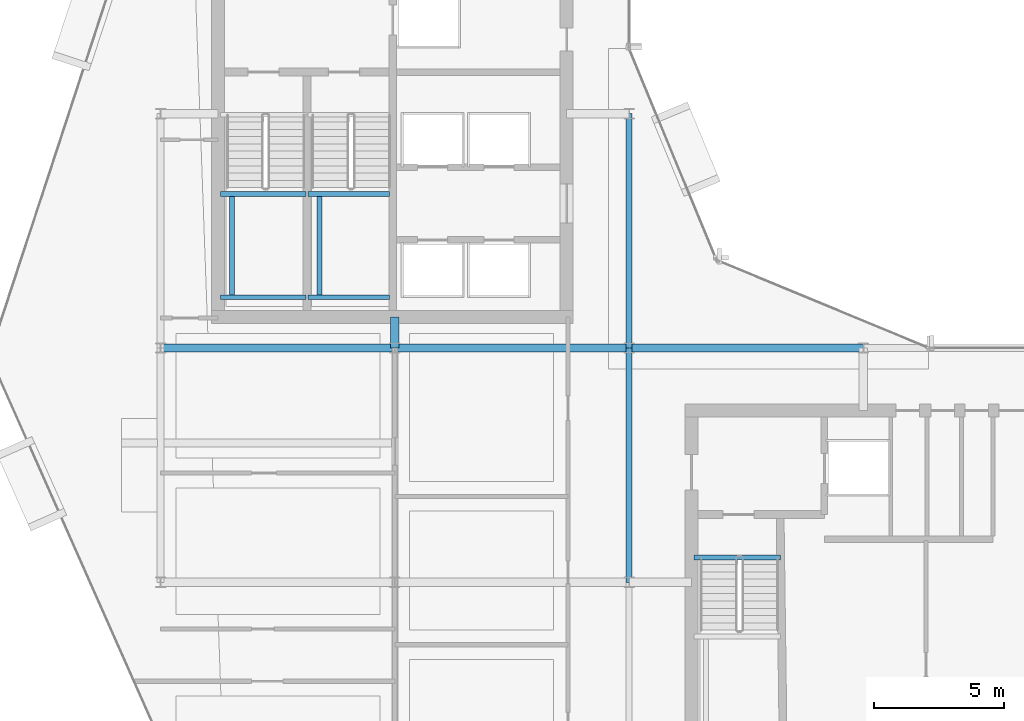
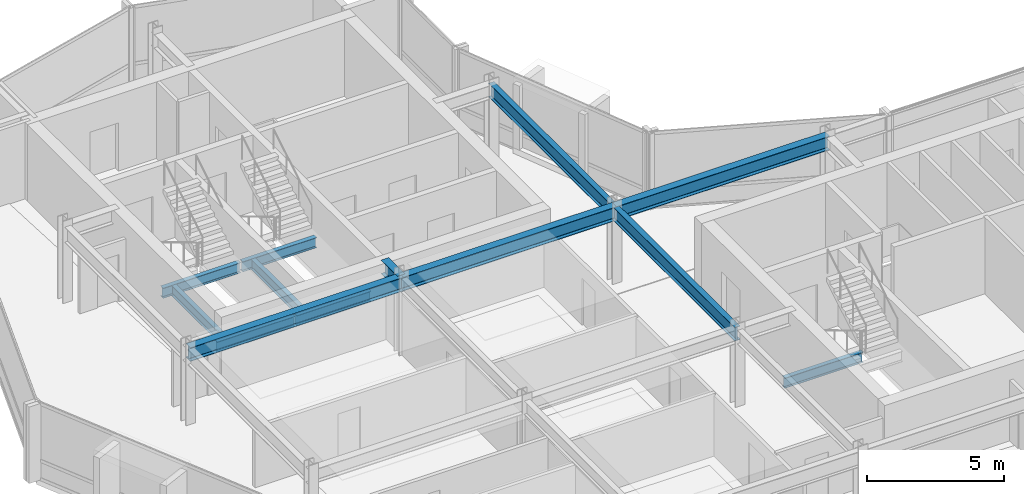
# One storey, part 7 of 28: 13 beams.
"""IFC4 building model written with IfcOpenShell, lengths in metres."""

import ifcopenshell
import ifcopenshell.guid

model = None  # the IFC model being written
_history = None  # IfcOwnerHistory: only IFC2X3 demands one
_inside = {}  # id of a spatial element -> (the spatial element, [elements in it])
_under = {}  # id of a project, library or spatial element -> (it, [spatial elements below it])
_declared = {}  # id of a project -> (the project, [libraries it declares])
_typed = {}  # id of a type object -> (the type object, [elements of that type])
_made_of = {}  # id of a material, layer set ... -> (it, [elements and type objects made of it])


def new_model(schema):
    """Start an empty IFC model of exactly this schema.

    Asked for "IFC4X3", IfcOpenShell would pick the latest addendum, in which some entities
    have other attributes; the version numbers below select the first issue.
    IFC2X3 requires an IfcOwnerHistory on every rooted entity: one is made here for all.
    """
    global model, _history
    if schema == "IFC4X3":
        model = ifcopenshell.file(schema_version=(4, 3, 0, 0))
    else:
        model = ifcopenshell.file(schema=schema)
    _inside.clear()
    _under.clear()
    _declared.clear()
    _typed.clear()
    _made_of.clear()
    _history = None
    if model.schema == "IFC2X3":
        org = make("IfcOrganization", Name="unknown")
        user = make(
            "IfcPersonAndOrganization",
            ThePerson=make("IfcPerson", FamilyName="unknown"),
            TheOrganization=org,
        )
        app = make(
            "IfcApplication",
            ApplicationDeveloper=org,
            Version="unknown",
            ApplicationFullName="unknown",
            ApplicationIdentifier="unknown",
        )
        _history = make(
            "IfcOwnerHistory",
            OwningUser=user,
            OwningApplication=app,
            ChangeAction="ADDED",
            CreationDate=0,
        )
    return model


def make(cls, **values):
    """One entity of the class cls with the attributes given. An attribute that is None is left unset."""
    return model.create_entity(
        cls, **{name: value for name, value in values.items() if value is not None}
    )


def rooted(cls, **values):
    """An entity with a GlobalId (a new one), such as an element, a storey or a relation."""
    return make(cls, GlobalId=ifcopenshell.guid.new(), OwnerHistory=_history, **values)


def si_unit(unit_type, name, prefix=None):
    """IfcSIUnit, for example si_unit("LENGTHUNIT", "METRE", prefix="MILLI")."""
    return make("IfcSIUnit", UnitType=unit_type, Prefix=prefix, Name=name)


def assignment(units):
    """IfcUnitAssignment: the units of a project."""
    return None if units is None else make("IfcUnitAssignment", Units=units)


def point(xyz):
    """IfcCartesianPoint."""
    return None if xyz is None else make("IfcCartesianPoint", Coordinates=xyz)


def direction(xyz):
    """IfcDirection."""
    return None if xyz is None else make("IfcDirection", DirectionRatios=xyz)


def frame(location, z_axis=None, x_axis=None):
    """IfcAxis2Placement3D, a coordinate frame: its origin and axes. An axis left out is left unset."""
    return make(
        "IfcAxis2Placement3D",
        Location=point(location),
        Axis=direction(z_axis),
        RefDirection=direction(x_axis),
    )


def frame_2d(location, x_axis=None):
    """IfcAxis2Placement2D, a coordinate frame in the plane: its origin and x axis."""
    return make(
        "IfcAxis2Placement2D", Location=point(location), RefDirection=direction(x_axis)
    )


def origin():
    """The frame at (0, 0, 0) with its axes left unset."""
    return frame((0.0, 0.0, 0.0))


def origin_2d():
    """The frame at (0, 0) in the plane with its x axis left unset."""
    return frame_2d((0.0, 0.0))


def place(relative_to, where):
    """IfcLocalPlacement: puts the frame where relative to a parent placement (None: the world)."""
    return make(
        "IfcLocalPlacement", PlacementRelTo=relative_to, RelativePlacement=where
    )


def context(
    kind, dimensions, precision=None, world=None, true_north=None, identifier=None
):
    """IfcGeometricRepresentationContext, for example the 3D "Model" context."""
    return make(
        "IfcGeometricRepresentationContext",
        ContextIdentifier=identifier,
        ContextType=kind,
        CoordinateSpaceDimension=dimensions,
        Precision=precision,
        WorldCoordinateSystem=world,
        TrueNorth=true_north,
    )


def subcontext(parent, identifier, kind, view, scale=None):
    """IfcGeometricRepresentationSubContext, for example "Body" below "Model"."""
    return make(
        "IfcGeometricRepresentationSubContext",
        ContextIdentifier=identifier,
        ContextType=kind,
        ParentContext=parent,
        TargetScale=scale,
        TargetView=view,
    )


def project(units=None, contexts=None):
    """IfcProject with its units and contexts."""
    return rooted(
        "IfcProject",
        Name="project",
        RepresentationContexts=contexts,
        UnitsInContext=assignment(units),
    )


def spatial(cls, under=None, at=None, **own):
    """A site, building, storey or space (cls), placed at a placement, below another one or the project."""
    s = rooted(cls, ObjectPlacement=at, **own)
    if under is not None:
        _under.setdefault(under.id(), (under, []))[1].append(s)
    return s


def profile(cls, at=None, kind="AREA", **sizes):
    """A parametric profile (cls). Its sizes go by their IFC names, for example OverallWidth=200.0."""
    return make(cls, ProfileType=kind, Position=at, **sizes)


def i_section(**sizes):
    """IfcIShapeProfileDef."""
    return profile("IfcIShapeProfileDef", **sizes)


def extrude(swept, where, along, depth):
    """IfcExtrudedAreaSolid: the profile swept, set in the frame where, extruded along a direction by depth."""
    return make(
        "IfcExtrudedAreaSolid",
        SweptArea=swept,
        Position=where,
        ExtrudedDirection=direction(along),
        Depth=depth,
    )


def shape(context_of_items, identifier, shape_type, items):
    """IfcShapeRepresentation: the items that make up one representation, for example the "Body"."""
    return make(
        "IfcShapeRepresentation",
        ContextOfItems=context_of_items,
        RepresentationIdentifier=identifier,
        RepresentationType=shape_type,
        Items=items,
    )


def material(Name=None, Category=None):
    """IfcMaterial."""
    return make("IfcMaterial", Name=Name, Category=Category)


def material_profile(
    of_material, cross_section, Name=None, Category=None, Priority=None
):
    """IfcMaterialProfile: a cross section and its material."""
    return make(
        "IfcMaterialProfile",
        Name=Name,
        Material=of_material,
        Profile=cross_section,
        Priority=Priority,
        Category=Category,
    )


def profile_set(profiles, Name=None, composite=None):
    """IfcMaterialProfileSet."""
    return make(
        "IfcMaterialProfileSet",
        Name=Name,
        MaterialProfiles=profiles,
        CompositeProfile=composite,
    )


def made_of(thing, what):
    """Note that an element or type object is made of a material, layer set ...; save() writes the relation."""
    if what is not None:
        _made_of.setdefault(what.id(), (what, []))[1].append(thing)
    return thing


def type_object(cls, material=None, **own):
    """A type object (cls), such as IfcWallType, which elements share."""
    return made_of(rooted(cls, **own), material)


def element(
    cls,
    number,
    at=None,
    inside=None,
    cuts=None,
    type_object=None,
    material=None,
    context=None,
    identifier="Body",
    shape_type=None,
    held_by="IfcProductDefinitionShape",
    body=None,
    shapes=None,
    **own,
):
    """One element of the class cls, such as IfcWall. Its Tag is "e" and its number.

    at: its placement. inside: the storey or other place that contains it. cuts: it is an
    opening in that element (IfcRelVoidsElement). A single representation is given by context,
    identifier, shape_type and body (its items); several are given by shapes. held_by: the class
    of the entity that holds the representations. save() writes the other relations.
    """
    e = rooted(cls, Tag="e%d" % number, ObjectPlacement=at, **own)
    if body is not None:
        shapes = [shape(context, identifier, shape_type, body)]
    if shapes is not None:
        e.Representation = make(held_by, Representations=shapes)
    if inside is not None:
        _inside.setdefault(inside.id(), (inside, []))[1].append(e)
    if cuts is not None:
        rooted(
            "IfcRelVoidsElement", RelatingBuildingElement=cuts, RelatedOpeningElement=e
        )
    if type_object is not None:
        _typed.setdefault(type_object.id(), (type_object, []))[1].append(e)
    return made_of(e, material)


def aggregate(whole, parts):
    """IfcRelAggregates: a whole, such as a stair, and the parts it consists of."""
    return rooted("IfcRelAggregates", RelatingObject=whole, RelatedObjects=parts)


def save(model, path):
    """Write the relations noted so far, then the file.

    IfcRelAggregates (storeys below a building ...), IfcRelContainedInSpatialStructure (elements
    in a storey), IfcRelDefinesByType, IfcRelAssociatesMaterial and IfcRelDeclares: one each for
    every whole, place, type object, material and project.
    """
    for whole, parts in _under.values():
        aggregate(whole, parts)
    for where, things in _inside.values():
        rooted(
            "IfcRelContainedInSpatialStructure",
            RelatedElements=things,
            RelatingStructure=where,
        )
    for kind, things in _typed.values():
        rooted("IfcRelDefinesByType", RelatedObjects=things, RelatingType=kind)
    for what, things in _made_of.values():
        rooted("IfcRelAssociatesMaterial", RelatedObjects=things, RelatingMaterial=what)
    for by, libraries in _declared.values():
        rooted("IfcRelDeclares", RelatingContext=by, RelatedDefinitions=libraries)
    model.write(path)


model = new_model("IFC4")

# Units and contexts
model_context = context("Model", 3, precision=1e-05, world=origin(), true_north=direction((0.0, 1.0)))
body_context = subcontext(model_context, "Body", "Model", "MODEL_VIEW")
ifc_project = project(units=[si_unit("LENGTHUNIT", "METRE"), si_unit("AREAUNIT", "SQUARE_METRE"), si_unit("VOLUMEUNIT", "CUBIC_METRE"), si_unit("PLANEANGLEUNIT", "RADIAN"), si_unit("MASSUNIT", "GRAM", prefix="KILO")], contexts=[model_context])

# Site, building, storey
site_placement = place(None, origin())
site = spatial("IfcSite", under=ifc_project, at=site_placement, CompositionType="ELEMENT")
building_placement = place(site_placement, origin())
building = spatial("IfcBuilding", under=site, at=building_placement, Name="Solvaryn Broadcast Tower", CompositionType="ELEMENT")
storey_placement = place(building_placement, frame((0.0, 0.0, 213.60009765625)))
storey = spatial("IfcBuildingStorey", under=building, at=storey_placement, Name="L53", CompositionType="ELEMENT", Elevation=213.60009765625)

# Beams
ifc_material_1 = material(Name="Steel ASTM A992 Grade 50", Category="steel")
ifc_material_profile_1 = material_profile(ifc_material_1, i_section(OverallWidth=0.323974609375, OverallDepth=0.611083984375, WebThickness=0.0126953125, FlangeThickness=0.01904296875, FilletRadius=0.014892578125, at=origin_2d()))
ifc_profile_set_1 = profile_set([ifc_material_profile_1], Name="Steel ASTM A992 Grade 50")
beam_type_1 = type_object("IfcBeamType", Name="BM-B1-W24X104", PredefinedType="BEAM", material=ifc_profile_set_1)
for number, where, z_axis, x_axis, name in (
    (1, (9.0, 27.0, 3.114501953125), (1.0, 0.0, 0.0), (0.0, 1.0, 0.0), "L53 Primary Beam X (9-18 @ Y=27)"),
    (2, (18.0, 27.0, 3.114501953125), (1.0, 0.0, 0.0), (0.0, 1.0, 0.0), "L53 Primary Beam X (18-27 @ Y=27)"),
    (3, (27.0, 27.0, 3.114501953125), (1.0, 0.0, 0.0), (0.0, 1.0, 0.0), "L53 Primary Beam X (27-36 @ Y=27)"),
):
    element("IfcBeam", number, at=place(storey_placement, frame(where, z_axis=z_axis, x_axis=x_axis)), inside=storey, type_object=beam_type_1, Name=name, PredefinedType="BEAM", context=body_context, shape_type="SweptSolid", body=[
        extrude(i_section(OverallWidth=0.323974609375, OverallDepth=0.611083984375, WebThickness=0.0126953125, FlangeThickness=0.01904296875, FilletRadius=0.014892578125, at=origin_2d()), origin(), (0.0, 0.0, 1.0), 9.0),
    ])
beam_1_placement = place(storey_placement, frame((18.0, 27.0, 3.114501953125), z_axis=(0.0, 1.0, 0.0), x_axis=(-1.0, 0.0, 0.0)))
element("IfcBeam", 4, at=beam_1_placement, inside=storey, type_object=beam_type_1, Name="L53 Core Tie Beam CTW4", PredefinedType="BEAM", context=body_context, shape_type="SweptSolid", body=[
    extrude(i_section(OverallWidth=0.323974609375, OverallDepth=0.611083984375, WebThickness=0.0126953125, FlangeThickness=0.01904296875, FilletRadius=0.014892578125, at=origin_2d()), origin(), (0.0, 0.0, 1.0), 1.199951171875),
])
ifc_material_2 = material(Name="Steel ASTM A992 Grade 50", Category="steel")
ifc_material_profile_2 = material_profile(ifc_material_2, i_section(OverallWidth=0.22802734375, OverallDepth=0.60791015625, WebThickness=0.01123046875, FlangeThickness=0.017333984375, FilletRadius=0.014892578125, at=origin_2d()))
ifc_profile_set_2 = profile_set([ifc_material_profile_2], Name="Steel ASTM A992 Grade 50")
beam_type_2 = type_object("IfcBeamType", Name="BM-B2-W24X76", PredefinedType="BEAM", material=ifc_profile_set_2)
for number, where, z_axis, x_axis, name in (
    (5, (27.0, 18.0, 3.115966796875), (0.0, 1.0, 0.0), (-1.0, 0.0, 0.0), "L53 Primary Beam Y (18-27 @ X=27)"),
    (6, (27.0, 27.0, 3.115966796875), (0.0, 1.0, 0.0), (-1.0, 0.0, 0.0), "L53 Primary Beam Y (27-36 @ X=27)"),
):
    element("IfcBeam", number, at=place(storey_placement, frame(where, z_axis=z_axis, x_axis=x_axis)), inside=storey, type_object=beam_type_2, Name=name, PredefinedType="BEAM", context=body_context, shape_type="SweptSolid", body=[
        extrude(i_section(OverallWidth=0.22802734375, OverallDepth=0.60791015625, WebThickness=0.01123046875, FlangeThickness=0.017333984375, FilletRadius=0.014892578125, at=origin_2d()), origin(), (0.0, 0.0, 1.0), 9.0),
    ])
ifc_material_3 = material(Name="Steel ASTM A992 Grade 50", Category="steel")
ifc_material_profile_3 = material_profile(ifc_material_3, i_section(OverallWidth=0.18994140625, OverallDepth=0.45703125, WebThickness=0.009033203125, FlangeThickness=0.014404296875, FilletRadius=0.011962890625, at=origin_2d()))
ifc_profile_set_3 = profile_set([ifc_material_profile_3], Name="Steel ASTM A992 Grade 50")
beam_type_3 = type_object("IfcBeamType", Name="BM-B4-W18X50", PredefinedType="BEAM", material=ifc_profile_set_3)
for number, where, z_axis, x_axis, name in (
    (7, (11.300048828125, 28.949951171875, 1.42138671875), (1.0, 0.0, 0.0), (0.0, 1.0, 0.0), "L53 ST1 Landing Support Beam 1A"),
    (8, (11.300048828125, 32.909912109375, 1.42138671875), (1.0, 0.0, 0.0), (0.0, 1.0, 0.0), "L53 ST1 Landing Support Beam 1B"),
):
    element("IfcBeam", number, at=place(storey_placement, frame(where, z_axis=z_axis, x_axis=x_axis)), inside=storey, type_object=beam_type_3, Name=name, PredefinedType="BEAM", context=body_context, shape_type="SweptSolid", body=[
        extrude(i_section(OverallWidth=0.18994140625, OverallDepth=0.45703125, WebThickness=0.009033203125, FlangeThickness=0.014404296875, FilletRadius=0.011962890625, at=origin_2d()), origin(), (0.0, 0.0, 1.0), 3.280029296875),
    ])
beam_2_placement = place(storey_placement, frame((11.75, 28.949951171875, 1.42138671875), z_axis=(0.0, 1.0, 0.0), x_axis=(-1.0, 0.0, 0.0)))
element("IfcBeam", 9, at=beam_2_placement, inside=storey, type_object=beam_type_3, Name="L53 ST1 Landing Cross Stringer 1C", PredefinedType="BEAM", context=body_context, shape_type="SweptSolid", body=[
    extrude(i_section(OverallWidth=0.18994140625, OverallDepth=0.45703125, WebThickness=0.009033203125, FlangeThickness=0.014404296875, FilletRadius=0.011962890625, at=origin_2d()), origin(), (0.0, 0.0, 1.0), 3.9599609375),
])
for number, where, z_axis, x_axis, name in (
    (10, (14.659912109375, 28.949951171875, 1.42138671875), (1.0, 0.0, 0.0), (0.0, 1.0, 0.0), "L53 ST2 Landing Support Beam 1A"),
    (11, (14.659912109375, 32.909912109375, 1.42138671875), (1.0, 0.0, 0.0), (0.0, 1.0, 0.0), "L53 ST2 Landing Support Beam 1B"),
):
    element("IfcBeam", number, at=place(storey_placement, frame(where, z_axis=z_axis, x_axis=x_axis)), inside=storey, type_object=beam_type_3, Name=name, PredefinedType="BEAM", context=body_context, shape_type="SweptSolid", body=[
        extrude(i_section(OverallWidth=0.18994140625, OverallDepth=0.45703125, WebThickness=0.009033203125, FlangeThickness=0.014404296875, FilletRadius=0.011962890625, at=origin_2d()), origin(), (0.0, 0.0, 1.0), 3.14013671875),
    ])
beam_3_placement = place(storey_placement, frame((15.110107421875, 28.949951171875, 1.42138671875), z_axis=(0.0, 1.0, 0.0), x_axis=(-1.0, 0.0, 0.0)))
element("IfcBeam", 12, at=beam_3_placement, inside=storey, type_object=beam_type_3, Name="L53 ST2 Landing Cross Stringer 1C", PredefinedType="BEAM", context=body_context, shape_type="SweptSolid", body=[
    extrude(i_section(OverallWidth=0.18994140625, OverallDepth=0.45703125, WebThickness=0.009033203125, FlangeThickness=0.014404296875, FilletRadius=0.011962890625, at=origin_2d()), origin(), (0.0, 0.0, 1.0), 3.9599609375),
])
beam_4_placement = place(storey_placement, frame((29.5, 18.9599609375, -0.508544921875), z_axis=(1.0, 0.0, 0.0), x_axis=(0.0, 1.0, 0.0)))
element("IfcBeam", 13, at=beam_4_placement, inside=storey, type_object=beam_type_3, Name="L53 ST3 Stair Well Trimmer Beam", PredefinedType="BEAM", context=body_context, shape_type="SweptSolid", body=[
    extrude(i_section(OverallWidth=0.18994140625, OverallDepth=0.45703125, WebThickness=0.009033203125, FlangeThickness=0.014404296875, FilletRadius=0.011962890625, at=origin_2d()), origin(), (0.0, 0.0, 1.0), 3.320068359375),
])

save(model, "model.ifc")
